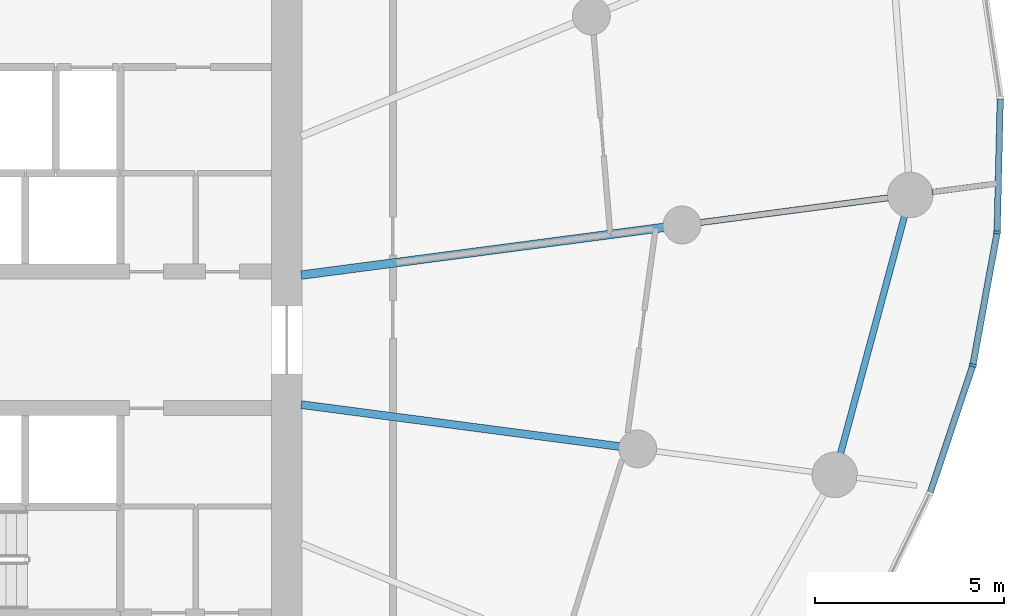
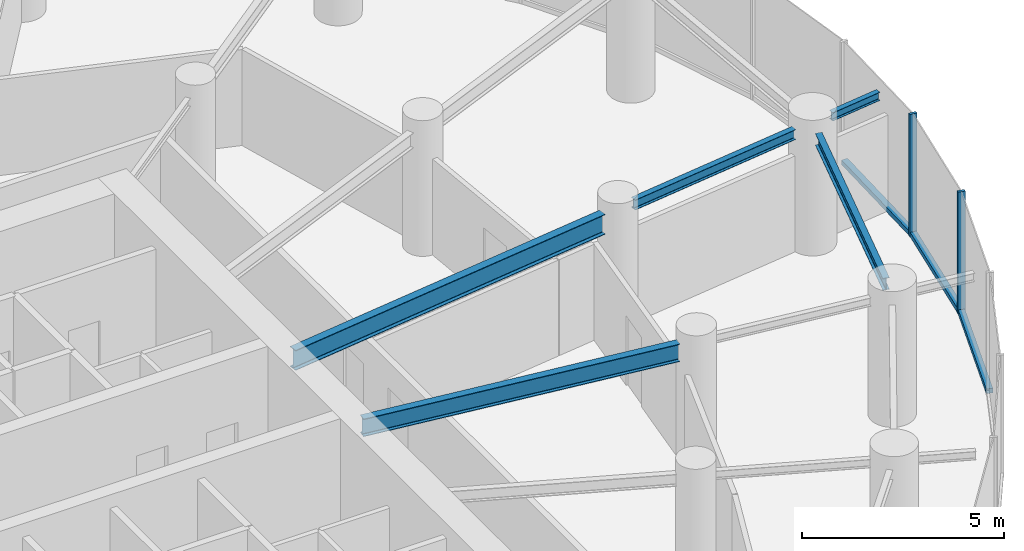
# One storey, part 5 of 17: 5 beams, 5 members, 2 elements without a shape of their own.
"""IFC4 building model written with IfcOpenShell, lengths in metres."""

from ifc_helpers import new_model, si_unit, direction, frame, origin, origin_2d, place, context, subcontext, project, spatial, rectangle, i_section, extrude, source, transform, mapped, material, layer, layer_set, material_profile, profile_set, type_object, element, aggregate, save


model = new_model("IFC4")

# Units and contexts
model_context = context("Model", 3, precision=1e-05, world=origin(), true_north=direction((0.0, 1.0)))
body_context = subcontext(model_context, "Body", "Model", "MODEL_VIEW")
ifc_project = project(units=[si_unit("LENGTHUNIT", "METRE"), si_unit("AREAUNIT", "SQUARE_METRE"), si_unit("VOLUMEUNIT", "CUBIC_METRE"), si_unit("PLANEANGLEUNIT", "RADIAN"), si_unit("MASSUNIT", "GRAM", prefix="KILO")], contexts=[model_context])

# Site, building, storey
site_placement = place(None, origin())
site = spatial("IfcSite", under=ifc_project, at=site_placement, CompositionType="ELEMENT")
building_placement = place(site_placement, origin())
building = spatial("IfcBuilding", under=site, at=building_placement, Name="Spindrift Exchange Tower", CompositionType="ELEMENT")
storey_placement = place(building_placement, frame((0.0, 0.0, 92.10009765625)))
storey = spatial("IfcBuildingStorey", under=building, at=storey_placement, Name="L21", CompositionType="ELEMENT", Elevation=92.10009765625)

# Beams
ifc_material_1 = material(Name="Steel Grade 300", Category="steel")
ifc_material_profile_1 = material_profile(ifc_material_1, i_section(OverallWidth=0.22802734375, OverallDepth=0.60693359375, WebThickness=0.01123046875, FlangeThickness=0.017333984375, FilletRadius=0.013916015625, at=origin_2d()), Name="610UB113")
ifc_profile_set_1 = profile_set([ifc_material_profile_1], Name="Steel Grade 300")
beam_type_1 = type_object("IfcBeamType", Name="Floor Beam 610UB113 Steel Grade 300", PredefinedType="BEAM", material=ifc_profile_set_1)
shared_shape_1 = source(origin(), body_context, "Body", "SweptSolid", [
    extrude(i_section(OverallWidth=0.22802734375, OverallDepth=0.60693359375, WebThickness=0.01123046875, FlangeThickness=0.017333984375, FilletRadius=0.013916015625, at=origin_2d()), origin(), (0.0, 0.0, 1.0), 9.660400390625),
])
beam_1_placement = place(storey_placement, frame((64.980224609375, 49.708984375, 3.396484375), z_axis=(0.99144767089, 0.130504850054, 0.0), x_axis=(-0.130504850054, 0.99144767089, 0.0)))
element("IfcBeam", 1, at=beam_1_placement, inside=storey, type_object=beam_type_1, Name="L21 radial beam R01A", PredefinedType="BEAM", context=body_context, shape_type="MappedRepresentation", body=[
    mapped(shared_shape_1, transform((0.0, 0.0, 0.0), scale=1.0)),
])
ifc_material_profile_2 = material_profile(ifc_material_1, i_section(OverallWidth=0.208984375, OverallDepth=0.532958984375, WebThickness=0.01025390625, FlangeThickness=0.015625, FilletRadius=0.013916015625, at=origin_2d()), Name="530UB92.4")
ifc_profile_set_2 = profile_set([ifc_material_profile_2], Name="Steel Grade 300")
beam_type_2 = type_object("IfcBeamType", Name="Floor Beam 530UB92.4 Steel Grade 300", PredefinedType="BEAM", material=ifc_profile_set_2)
shared_shape_2 = source(origin(), body_context, "Body", "SweptSolid", [
    extrude(i_section(OverallWidth=0.208984375, OverallDepth=0.532958984375, WebThickness=0.01025390625, FlangeThickness=0.015625, FilletRadius=0.013916015625, at=origin_2d()), origin(), (0.0, 0.0, 1.0), 8.4794921875),
])
beam_2_placement = place(storey_placement, frame((64.980224609375, 46.291015625, 3.433349609375), z_axis=(0.991446551951, -0.13051335037, 0.0), x_axis=(0.13051335037, 0.991446551951, 0.0)))
element("IfcBeam", 2, at=beam_2_placement, inside=storey, type_object=beam_type_2, Name="L21 radial beam R24A", PredefinedType="BEAM", context=body_context, shape_type="MappedRepresentation", body=[
    mapped(shared_shape_2, transform((0.0, 0.0, 0.0), scale=1.0)),
])
ifc_material_profile_3 = material_profile(ifc_material_1, i_section(OverallWidth=0.1650390625, OverallDepth=0.303955078125, WebThickness=0.006103515625, FlangeThickness=0.01025390625, FilletRadius=0.011474609375, at=origin_2d()), Name="310UB40.4")
ifc_profile_set_3 = profile_set([ifc_material_profile_3], Name="Steel Grade 300")
beam_type_3 = type_object("IfcBeamType", Name="Floor Beam 310UB40.4 Steel Grade 300", PredefinedType="BEAM", material=ifc_profile_set_3)
shared_shape_3 = source(origin(), body_context, "Body", "SweptSolid", [
    extrude(i_section(OverallWidth=0.1650390625, OverallDepth=0.303955078125, WebThickness=0.006103515625, FlangeThickness=0.01025390625, FilletRadius=0.011474609375, at=origin_2d()), origin(), (0.0, 0.0, 1.0), 5.014404296875),
])
beam_3_placement = place(storey_placement, frame((75.509765625, 51.09521484375, 3.5478515625), z_axis=(0.99145015202, 0.13048599948, 0.0), x_axis=(-0.13048599948, 0.99145015202, 0.0)))
element("IfcBeam", 3, at=beam_3_placement, inside=storey, type_object=beam_type_3, Name="L21 radial beam R01B", PredefinedType="BEAM", context=body_context, shape_type="MappedRepresentation", body=[
    mapped(shared_shape_3, transform((0.0, 0.0, 0.0), scale=1.0)),
])
ifc_material_profile_4 = material_profile(ifc_material_1, i_section(OverallWidth=0.172119140625, OverallDepth=0.35888671875, WebThickness=0.008056640625, FlangeThickness=0.012939453125, FilletRadius=0.013916015625, at=origin_2d()), Name="360UB56.7")
ifc_profile_set_4 = profile_set([ifc_material_profile_4], Name="Steel Grade 300")
beam_type_4 = type_object("IfcBeamType", Name="Edge Beam 360UB56.7 Steel Grade 300", PredefinedType="SPANDREL", material=ifc_profile_set_4)
shared_shape_4 = source(origin(), body_context, "Body", "SweptSolid", [
    extrude(i_section(OverallWidth=0.172119140625, OverallDepth=0.35888671875, WebThickness=0.008056640625, FlangeThickness=0.012939453125, FilletRadius=0.013916015625, at=origin_2d()), origin(), (0.0, 0.0, 1.0), 6.4921875),
])
beam_4_placement = place(storey_placement, frame((79.215576171875, 44.996826171875, 3.5205078125), z_axis=(0.260262058381, 0.965538016324, 0.0), x_axis=(-0.965538016324, 0.260262058381, 0.0)))
element("IfcBeam", 4, at=beam_4_placement, inside=storey, type_object=beam_type_4, Name="L21 edge beam E24", PredefinedType="SPANDREL", context=body_context, shape_type="MappedRepresentation", body=[
    mapped(shared_shape_4, transform((0.0, 0.0, 0.0), scale=1.0)),
])
ifc_material_profile_5 = material_profile(ifc_material_1, i_section(OverallWidth=0.14599609375, OverallDepth=0.251953125, WebThickness=0.006103515625, FlangeThickness=0.008544921875, FilletRadius=0.011962890625, at=origin_2d()), Name="250UB31.4")
ifc_profile_set_5 = profile_set([ifc_material_profile_5], Name="Steel Grade 300")
beam_type_5 = type_object("IfcBeamType", Name="Cantilever Beam 250UB31.4 Steel Grade 300", PredefinedType="BEAM", material=ifc_profile_set_5)
shared_shape_5 = source(origin(), body_context, "Body", "SweptSolid", [
    extrude(i_section(OverallWidth=0.14599609375, OverallDepth=0.251953125, WebThickness=0.006103515625, FlangeThickness=0.008544921875, FilletRadius=0.011962890625, at=origin_2d()), origin(), (0.0, 0.0, 1.0), 1.46630859375),
])
beam_5_placement = place(storey_placement, frame((81.63134765625, 51.90087890625, 3.573974609375), z_axis=(0.991444659345, 0.130527726772, 0.0), x_axis=(-0.130527726772, 0.991444659345, 0.0)))
element("IfcBeam", 5, at=beam_5_placement, inside=storey, type_object=beam_type_5, Name="L21 cantilever beam R01T", PredefinedType="BEAM", context=body_context, shape_type="MappedRepresentation", body=[
    mapped(shared_shape_5, transform((0.0, 0.0, 0.0), scale=1.0)),
])

# Curtain wall, member
ifc_material_2 = material(Name="Fritted laminated glass with bronze frame", Category="glass")
ifc_layer = layer(ifc_material_2, 0.18994140625)
ifc_layer_set = layer_set([ifc_layer], Name="ZONE 2 BRONZE FRITTED WALL")
curtain_wall_type = type_object("IfcCurtainWallType", Name="ZONE 2 BRONZE FRITTED WALL", PredefinedType="NOTDEFINED", material=ifc_layer_set)
curtain_wall_1_placement = place(storey_placement, origin())
curtain_wall_1 = element("IfcCurtainWall", 6, at=curtain_wall_1_placement, inside=storey, type_object=curtain_wall_type, Name="L21 Zone 2 Bronze Fritted Wall run 8", PredefinedType="NOTDEFINED")
ifc_material_3 = material(Name="Bronze anodised aluminium", Category="aluminium")
ifc_material_profile_6 = material_profile(ifc_material_3, rectangle(XDim=0.074951171875, YDim=0.18994140625, at=origin_2d()), Name="ZONE 2 BRONZE FRITTED WALL MULLION 75X190")
ifc_profile_set_6 = profile_set([ifc_material_profile_6], Name="Bronze anodised aluminium")
member_type_1 = type_object("IfcMemberType", Name="ZONE 2 BRONZE FRITTED WALL MULLION 75X190", PredefinedType="MULLION", material=ifc_profile_set_6)
shared_shape_6 = source(origin(), body_context, "Body", "SweptSolid", [
    extrude(rectangle(XDim=0.074951171875, YDim=0.18994140625, at=origin_2d()), origin(), (0.0, 0.0, 1.0), 3.699951171875),
])
member_1_placement = place(storey_placement, frame((82.708984375, 47.328125, 0.0), z_axis=(0.0, 0.0, 1.0), x_axis=(0.249386423493, 0.968404053986, 0.0)))
member_1 = element("IfcMember", 7, at=member_1_placement, type_object=member_type_1, Name="L21 mullion CW-2.48", PredefinedType="MULLION", context=body_context, shape_type="MappedRepresentation", body=[
    mapped(shared_shape_6, transform((0.0, 0.0, 0.0), scale=1.0)),
])

curtain_wall_2_placement = place(storey_placement, origin())
curtain_wall_2 = element("IfcCurtainWall", 8, at=curtain_wall_2_placement, inside=storey, type_object=curtain_wall_type, Name="L21 Zone 2 Bronze Fritted Wall run 9", PredefinedType="NOTDEFINED")
member_2_placement = place(storey_placement, frame((83.349609375, 50.834716796875, 0.0), z_axis=(0.0, 0.0, 1.0), x_axis=(0.101932052935, 0.994791363344, 0.0)))
member_2 = element("IfcMember", 9, at=member_2_placement, type_object=member_type_1, Name="L21 mullion CW-2.49", PredefinedType="MULLION", context=body_context, shape_type="MappedRepresentation", body=[
    mapped(shared_shape_6, transform((0.0, 0.0, 0.0), scale=1.0)),
])

# Member
ifc_material_profile_7 = material_profile(ifc_material_3, rectangle(XDim=0.169921875, YDim=0.139892578125, at=origin_2d()), Name="ZONE 2 BRONZE FRITTED WALL TRANSOM 170X140")
ifc_profile_set_7 = profile_set([ifc_material_profile_7], Name="Bronze anodised aluminium")
member_type_2 = type_object("IfcMemberType", Name="ZONE 2 BRONZE FRITTED WALL TRANSOM 170X140", PredefinedType="USERDEFINED", material=ifc_profile_set_7)
shared_shape_7 = source(origin(), body_context, "Body", "SweptSolid", [
    extrude(rectangle(XDim=0.169921875, YDim=0.139892578125, at=origin_2d()), origin(), (0.0, 0.0, 1.0), 3.489501953125),
])
member_3_placement = place(storey_placement, frame((82.7158203125, 47.364990234375, 0.06982421875), z_axis=(0.179741187655, 0.98371393477, 0.0), x_axis=(-0.98371393477, 0.179741187655, 0.0)))
member_3 = element("IfcMember", 10, at=member_3_placement, type_object=member_type_2, Name="L21 transom CW-2.48", ObjectType="TRANSOM", PredefinedType="USERDEFINED", context=body_context, shape_type="MappedRepresentation", body=[
    mapped(shared_shape_7, transform((0.0, 0.0, 0.0), scale=1.0)),
])

shared_shape_8 = source(origin(), body_context, "Body", "SweptSolid", [
    extrude(rectangle(XDim=0.169921875, YDim=0.139892578125, at=origin_2d()), origin(), (0.0, 0.0, 1.0), 3.48876953125),
])
member_4_placement = place(storey_placement, frame((83.3505859375, 50.8720703125, 0.06982421875), z_axis=(0.023513027178, 0.999723530559, 0.0), x_axis=(-0.999723530559, 0.023513027178, 0.0)))
member_4 = element("IfcMember", 11, at=member_4_placement, type_object=member_type_2, Name="L21 transom CW-2.49", ObjectType="TRANSOM", PredefinedType="USERDEFINED", context=body_context, shape_type="MappedRepresentation", body=[
    mapped(shared_shape_8, transform((0.0, 0.0, 0.0), scale=1.0)),
])

aggregate(curtain_wall_2, [member_2, member_4])

shared_shape_9 = source(origin(), body_context, "Body", "SweptSolid", [
    extrude(rectangle(XDim=0.169921875, YDim=0.139892578125, at=origin_2d()), origin(), (0.0, 0.0, 1.0), 3.489990234375),
])
member_5_placement = place(storey_placement, frame((81.588134765625, 43.983642578125, 0.06982421875), z_axis=(0.31780129715, 0.948157336907, 0.0), x_axis=(-0.948157336907, 0.31780129715, 0.0)))
member_5 = element("IfcMember", 12, at=member_5_placement, type_object=member_type_2, Name="L21 transom CW-2.47", ObjectType="TRANSOM", PredefinedType="USERDEFINED", context=body_context, shape_type="MappedRepresentation", body=[
    mapped(shared_shape_9, transform((0.0, 0.0, 0.0), scale=1.0)),
])

aggregate(curtain_wall_1, [member_5, member_1, member_3])

save(model, "model.ifc")
